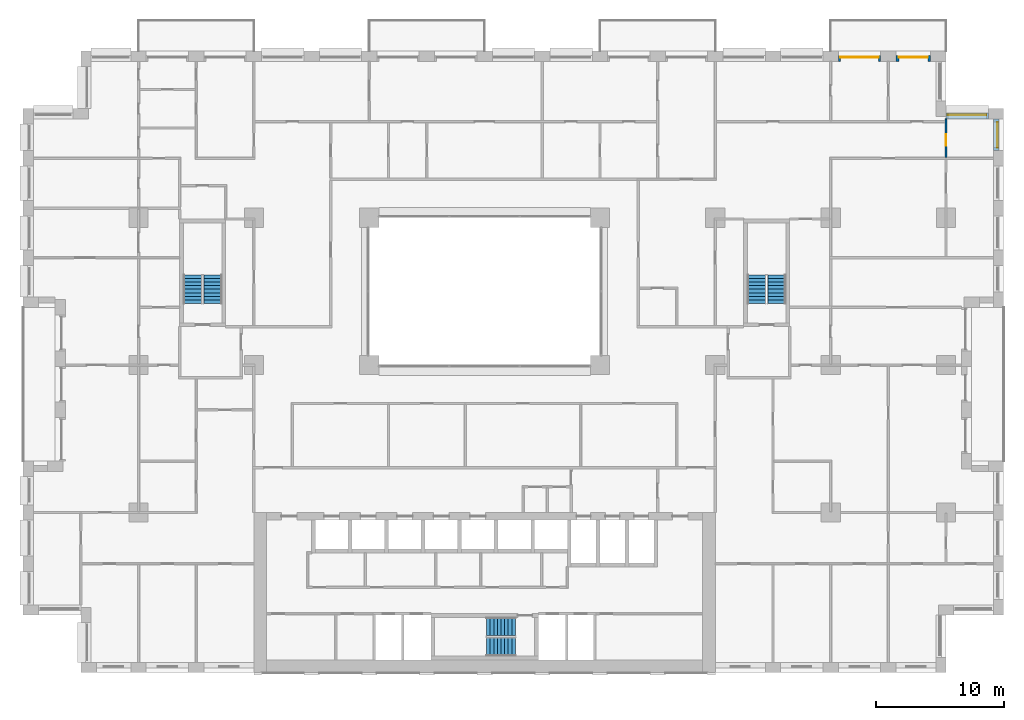
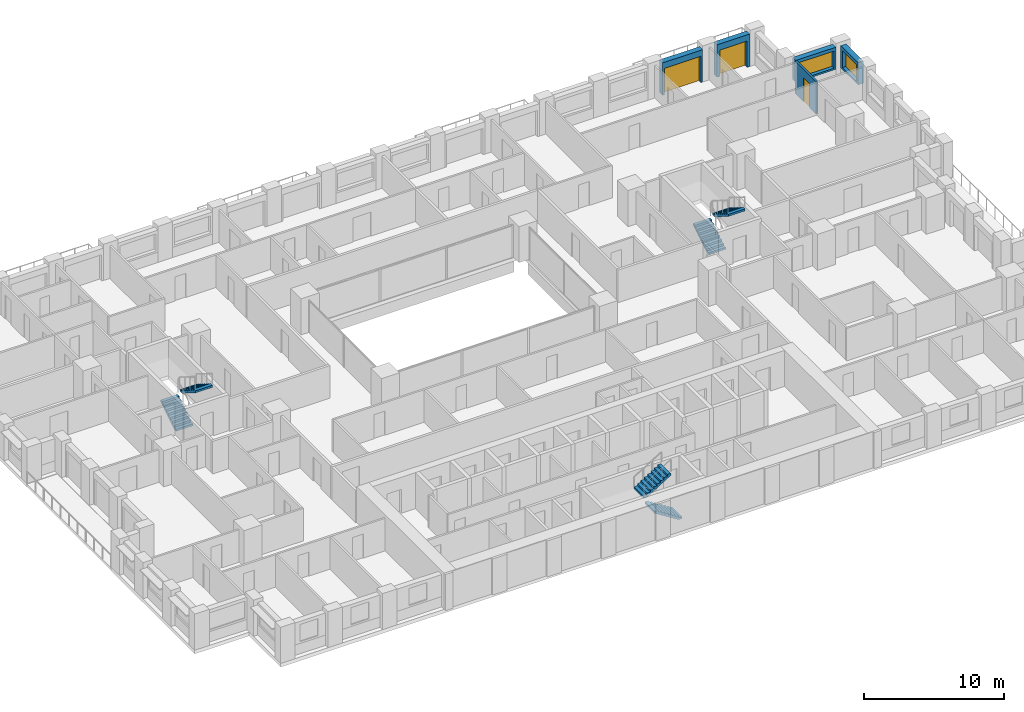
# One storey, part 17 of 19: 6 stair flights, 5 walls, 3 doors, 2 windows, 5 openings, 3 elements without a shape of their own.
"""IFC4 building model written with IfcOpenShell, lengths in metres."""

from ifc_helpers import new_model, si_unit, direction, frame, frame_2d, origin, place, context, subcontext, project, spatial, polyline, rectangle, outline, extrude, material, layer, layer_set, type_object, element, fill, aggregate, save


model = new_model("IFC4")

# Units and contexts
model_context = context("Model", 3, precision=1e-05, world=origin(), true_north=direction((0.0, 1.0)))
body_context = subcontext(model_context, "Body", "Model", "MODEL_VIEW")
ifc_project = project(units=[si_unit("LENGTHUNIT", "METRE"), si_unit("AREAUNIT", "SQUARE_METRE"), si_unit("VOLUMEUNIT", "CUBIC_METRE"), si_unit("PLANEANGLEUNIT", "RADIAN"), si_unit("MASSUNIT", "GRAM", prefix="KILO")], contexts=[model_context])

# Site, building, storey
site_placement = place(None, origin())
site = spatial("IfcSite", under=ifc_project, at=site_placement, CompositionType="ELEMENT")
building_placement = place(site_placement, origin())
building = spatial("IfcBuilding", under=site, at=building_placement, Name="Brigalow Station Residences", CompositionType="ELEMENT")
storey_placement = place(building_placement, frame((0.0, 0.0, 35.25)))
storey = spatial("IfcBuildingStorey", under=building, at=storey_placement, Name="L09", CompositionType="ELEMENT", Elevation=35.25)

# Wall, opening, window
ifc_material_1 = material(Name="Clay brick masonry", Category="masonry")
ifc_layer_1 = layer(ifc_material_1, 0.449951171875)
ifc_layer_set_1 = layer_set([ifc_layer_1], Name="BRICK INFILL WALL 450")
wall_type_1 = type_object("IfcWallType", Name="BRICK INFILL WALL 450", PredefinedType="SOLIDWALL", material=ifc_layer_set_1)
wall_1_placement = place(storey_placement, frame((75.925048828125, 40.72509765625, 0.89990234375), z_axis=(0.0, 0.0, 1.0), x_axis=(0.0, 1.0, 0.0)))
wall_1 = element("IfcWall", 1, at=wall_1_placement, inside=storey, type_object=wall_type_1, Name="L09/ewall/W-L09-22", PredefinedType="SOLIDWALL", context=body_context, shape_type="SweptSolid", body=[
    extrude(rectangle(XDim=2.474853515625, YDim=0.449951171875, at=frame_2d((1.2373046875, 0.0))), origin(), (0.0, 0.0, 1.0), 1.93017578125),
])
opening_1_placement = place(wall_1_placement, frame((0.237548828125, 0.0, 0.14990234375)))
opening_1 = element("IfcOpeningElement", 2, at=opening_1_placement, cuts=wall_1, Name="Opening WT-7", PredefinedType="OPENING", context=body_context, shape_type="SweptSolid", body=[
    extrude(rectangle(XDim=2.0, YDim=1.5, at=frame_2d((1.0, 0.75))), frame((0.0, 0.23486328125, 0.0), z_axis=(0.0, -1.0, 0.0), x_axis=(1.0, 0.0, 0.0)), (0.0, 0.0, 1.0), 0.469970703125),
])
ifc_material_2 = material(Name="Anodised aluminium frame with double glazing", Category="aluminium")
window_type_1 = type_object("IfcWindowType", Name="WINDOW 2000x1500", PartitioningType="SINGLE_PANEL", PredefinedType="WINDOW", material=ifc_material_2)
window_1_placement = place(opening_1_placement, origin())
window_1 = element("IfcWindow", 3, at=window_1_placement, inside=storey, type_object=window_type_1, Name="L09/window/W-L09-22", OverallHeight=1.5, OverallWidth=2.0, PartitioningType="SINGLE_PANEL", PredefinedType="WINDOW", context=body_context, shape_type="SweptSolid", body=[
    extrude(rectangle(XDim=2.0, YDim=1.5, at=frame_2d((1.0, 0.75))), frame((0.0, -0.06494140625, 0.0), z_axis=(0.0, -1.0, 0.0), x_axis=(1.0, 0.0, 0.0)), (0.0, 0.0, 1.0), 0.06005859375),
])
fill(opening_1, window_1)

wall_2_placement = place(storey_placement, frame((75.300048828125, 43.425048828125, 0.89990234375), z_axis=(0.0, 0.0, 1.0), x_axis=(-1.0, 0.0, 0.0)))
wall_2 = element("IfcWall", 4, at=wall_2_placement, inside=storey, type_object=wall_type_1, Name="L09/ewall/W-L09-23", PredefinedType="SOLIDWALL", context=body_context, shape_type="SweptSolid", body=[
    extrude(rectangle(XDim=3.300048828125, YDim=0.449951171875, at=frame_2d((1.64990234375, 0.0))), origin(), (0.0, 0.0, 1.0), 1.93017578125),
])
opening_2_placement = place(wall_2_placement, frame((0.14990234375, 0.0, 0.14990234375)))
opening_2 = element("IfcOpeningElement", 5, at=opening_2_placement, cuts=wall_2, Name="Opening WT-2", PredefinedType="OPENING", context=body_context, shape_type="SweptSolid", body=[
    extrude(rectangle(XDim=3.0, YDim=1.5, at=frame_2d((1.5, 0.75))), frame((0.0, 0.23486328125, 0.0), z_axis=(0.0, -1.0, 0.0), x_axis=(1.0, 0.0, 0.0)), (0.0, 0.0, 1.0), 0.469970703125),
])
ifc_material_3 = material(Name="Anodised aluminium frame with double glazing", Category="aluminium")
window_type_2 = type_object("IfcWindowType", Name="WINDOW 3000x1500", PartitioningType="SINGLE_PANEL", PredefinedType="WINDOW", material=ifc_material_3)
window_2_placement = place(opening_2_placement, origin())
window_2 = element("IfcWindow", 6, at=window_2_placement, inside=storey, type_object=window_type_2, Name="L09/window/W-L09-23", OverallHeight=1.5, OverallWidth=3.0, PartitioningType="SINGLE_PANEL", PredefinedType="WINDOW", context=body_context, shape_type="SweptSolid", body=[
    extrude(rectangle(XDim=3.0, YDim=1.5, at=frame_2d((1.5, 0.75))), frame((0.0, -0.06494140625, 0.0), z_axis=(0.0, -1.0, 0.0), x_axis=(1.0, 0.0, 0.0)), (0.0, 0.0, 1.0), 0.06005859375),
])
fill(opening_2, window_2)

# Wall, opening, door
wall_3_placement = place(storey_placement, frame((70.800048828125, 47.925048828125, 0.0), z_axis=(0.0, 0.0, 1.0), x_axis=(-1.0, 0.0, 0.0)))
wall_3 = element("IfcWall", 7, at=wall_3_placement, inside=storey, type_object=wall_type_1, Name="L09/ewall/W-L09-25", PredefinedType="SOLIDWALL", context=body_context, shape_type="SweptSolid", body=[
    extrude(rectangle(XDim=2.699951171875, YDim=0.449951171875, at=frame_2d((1.35009765625, 0.0))), origin(), (0.0, 0.0, 1.0), 2.830078125),
])
opening_3_placement = place(wall_3_placement, frame((0.22509765625, 0.0, 0.0)))
opening_3 = element("IfcOpeningElement", 8, at=opening_3_placement, cuts=wall_3, Name="Opening D-B2250", PredefinedType="OPENING", context=body_context, shape_type="SweptSolid", body=[
    extrude(rectangle(XDim=2.25, YDim=2.300048828125, at=frame_2d((1.125, 1.14990234375))), frame((0.0, 0.23486328125, 0.0), z_axis=(0.0, -1.0, 0.0), x_axis=(1.0, 0.0, 0.0)), (0.0, 0.0, 1.0), 0.469970703125),
])
ifc_material_4 = material(Name="Anodised aluminium frame with double glazing", Category="aluminium")
door_type_1 = type_object("IfcDoorType", Name="BALCONY SLIDING DOOR 2250x2300", OperationType="SLIDING_TO_LEFT", PredefinedType="DOOR", material=ifc_material_4)
door_1_placement = place(opening_3_placement, origin())
door_1 = element("IfcDoor", 9, at=door_1_placement, inside=storey, type_object=door_type_1, Name="L09/balcony-door/W-L09-25", OperationType="SLIDING_TO_LEFT", OverallHeight=2.300048828125, OverallWidth=2.25, PredefinedType="DOOR", context=body_context, shape_type="SweptSolid", body=[
    extrude(rectangle(XDim=2.25, YDim=2.300048828125, at=frame_2d((1.125, 1.14990234375))), frame((0.0, -0.06982421875, 0.0), z_axis=(0.0, -1.0, 0.0), x_axis=(1.0, 0.0, 0.0)), (0.0, 0.0, 1.0), 0.050048828125),
])
fill(opening_3, door_1)

wall_4_placement = place(storey_placement, frame((66.89990234375, 47.925048828125, 0.0), z_axis=(0.0, 0.0, 1.0), x_axis=(-1.0, 0.0, 0.0)))
wall_4 = element("IfcWall", 10, at=wall_4_placement, inside=storey, type_object=wall_type_1, Name="L09/ewall/W-L09-26", PredefinedType="SOLIDWALL", context=body_context, shape_type="SweptSolid", body=[
    extrude(rectangle(XDim=3.2998046875, YDim=0.449951171875, at=frame_2d((1.64990234375, 0.0))), origin(), (0.0, 0.0, 1.0), 2.830078125),
])
opening_4_placement = place(wall_4_placement, frame((0.14990234375, 0.0, 0.0)))
opening_4 = element("IfcOpeningElement", 11, at=opening_4_placement, cuts=wall_4, Name="Opening D-B3000", PredefinedType="OPENING", context=body_context, shape_type="SweptSolid", body=[
    extrude(rectangle(XDim=3.0, YDim=2.300048828125, at=frame_2d((1.5, 1.14990234375))), frame((0.0, 0.23486328125, 0.0), z_axis=(0.0, -1.0, 0.0), x_axis=(1.0, 0.0, 0.0)), (0.0, 0.0, 1.0), 0.469970703125),
])
ifc_material_5 = material(Name="Anodised aluminium frame with double glazing", Category="aluminium")
door_type_2 = type_object("IfcDoorType", Name="BALCONY SLIDING DOOR 3000x2300", OperationType="SLIDING_TO_LEFT", PredefinedType="DOOR", material=ifc_material_5)
door_2_placement = place(opening_4_placement, origin())
door_2 = element("IfcDoor", 12, at=door_2_placement, inside=storey, type_object=door_type_2, Name="L09/balcony-door/W-L09-26", OperationType="SLIDING_TO_LEFT", OverallHeight=2.300048828125, OverallWidth=3.0, PredefinedType="DOOR", context=body_context, shape_type="SweptSolid", body=[
    extrude(rectangle(XDim=3.0, YDim=2.300048828125, at=frame_2d((1.5, 1.14990234375))), frame((0.0, -0.06982421875, 0.0), z_axis=(0.0, -1.0, 0.0), x_axis=(1.0, 0.0, 0.0)), (0.0, 0.0, 1.0), 0.050048828125),
])
fill(opening_4, door_2)

ifc_material_6 = material(Name="Plasterboard on steel stud partition", Category="steel")
ifc_layer_2 = layer(ifc_material_6, 0.14990234375)
ifc_layer_set_2 = layer_set([ifc_layer_2], Name="FLAT PARTITION 150")
wall_type_2 = type_object("IfcWallType", Name="FLAT PARTITION 150", PredefinedType="PARTITIONING", material=ifc_layer_set_2)
wall_5_placement = place(storey_placement, frame((72.0, 40.199951171875, 0.0), z_axis=(0.0, 0.0, 1.0), x_axis=(0.0, 1.0, 0.0)))
wall_5 = element("IfcWall", 13, at=wall_5_placement, inside=storey, type_object=wall_type_2, Name="PW-1B76", PredefinedType="PARTITIONING", context=body_context, shape_type="SweptSolid", body=[
    extrude(rectangle(XDim=3.0, YDim=0.14990234375, at=frame_2d((1.5, 0.0))), origin(), (0.0, 0.0, 1.0), 2.830078125),
])
opening_5_placement = place(wall_5_placement, frame((0.912109375, 0.0, 0.0)))
opening_5 = element("IfcOpeningElement", 14, at=opening_5_placement, cuts=wall_5, Name="Opening D-1B46", PredefinedType="OPENING", context=body_context, shape_type="SweptSolid", body=[
    extrude(rectangle(XDim=0.89990234375, YDim=2.10009765625, at=frame_2d((0.449951171875, 1.050048828125))), frame((0.0, 0.0849609375, 0.0), z_axis=(0.0, -1.0, 0.0), x_axis=(1.0, 0.0, 0.0)), (0.0, 0.0, 1.0), 0.169921875),
])
ifc_material_7 = material(Name="Solid-core timber door leaf", Category="wood")
door_type_3 = type_object("IfcDoorType", Name="INTERNAL DOOR 900 x 2100", OperationType="SINGLE_SWING_LEFT", PredefinedType="DOOR", material=ifc_material_7)
door_3_placement = place(opening_5_placement, frame((0.89990234375, 0.0, 0.0), z_axis=(0.0, 0.0, 1.0), x_axis=(-1.0, 0.0, 0.0)))
door_3 = element("IfcDoor", 15, at=door_3_placement, inside=storey, type_object=door_type_3, Name="D-1B46", OperationType="SINGLE_SWING_RIGHT", OverallHeight=2.10009765625, OverallWidth=0.89990234375, PredefinedType="DOOR", context=body_context, shape_type="SweptSolid", body=[
    extrude(rectangle(XDim=0.89990234375, YDim=2.10009765625, at=frame_2d((0.449951171875, 1.050048828125))), frame((0.0, 0.02490234375, 0.0), z_axis=(0.0, -1.0, 0.0), x_axis=(1.0, 0.0, 0.0)), (0.0, 0.0, 1.0), 0.050048828125),
])
fill(opening_5, door_3)

# Stair, stair flights
ifc_material_8 = material(Name="Concrete C50", Category="concrete")
stair_type = type_object("IfcStairType", Name="EXIT STAIR 1400 2 FLIGHT", PredefinedType="HALF_TURN_STAIR", material=ifc_material_8)
stair_1_placement = place(storey_placement, origin())
stair_1 = element("IfcStair", 16, at=stair_1_placement, inside=storey, type_object=stair_type, Name="EXIT STAIR S2 L09", PredefinedType="HALF_TURN_STAIR")
ifc_material_9 = material(Name="Concrete C50", Category="concrete")
stair_flight_type = type_object("IfcStairFlightType", Name="STAIR FLIGHT 1400", PredefinedType="STRAIGHT", material=ifc_material_9)
stair_flight_1_placement = place(storey_placement, frame((38.39990234375, 2.0, 0.0), z_axis=(0.0, 0.0, 1.0), x_axis=(-1.0, 0.0, 0.0)))
stair_flight_1 = element("IfcStairFlight", 17, at=stair_flight_1_placement, type_object=stair_flight_type, Name="ST-2 flight 1", NumberOfRisers=9, NumberOfTreads=8, PredefinedType="STRAIGHT", RiserHeight=0.175, TreadLength=0.28, context=body_context, shape_type="SweptSolid", body=[
    extrude(outline(polyline([(0.0, 0.0), (0.0, 0.175048828125), (0.280029296875, 0.175048828125), (0.280029296875, 0.35009765625), (0.56005859375, 0.35009765625), (0.56005859375, 0.52490234375), (0.840087890625, 0.52490234375), (0.840087890625, 0.699951171875), (1.1201171875, 0.699951171875), (1.1201171875, 0.875), (1.39990234375, 0.875), (1.39990234375, 1.050048828125), (1.679931640625, 1.050048828125), (1.679931640625, 1.22509765625), (1.9599609375, 1.22509765625), (1.9599609375, 1.39990234375), (2.239990234375, 1.39990234375), (2.239990234375, 1.574951171875), (2.239990234375, 1.22314453125), (0.28271484375, 0.0), (0.0, 0.0)])), frame((0.0, 0.699951171875, 0.0), z_axis=(0.0, -1.0, 0.0), x_axis=(1.0, 0.0, 0.0)), (0.0, 0.0, 1.0), 1.39990234375),
])
stair_flight_2_placement = place(storey_placement, frame((36.159912109375, 3.60009765625, 1.574951171875), z_axis=(0.0, 0.0, 1.0), x_axis=(1.0, 0.0, 0.0)))
stair_flight_2 = element("IfcStairFlight", 18, at=stair_flight_2_placement, type_object=stair_flight_type, Name="ST-2 flight 2", NumberOfRisers=9, NumberOfTreads=8, PredefinedType="STRAIGHT", RiserHeight=0.175, TreadLength=0.28, context=body_context, shape_type="SweptSolid", body=[
    extrude(outline(polyline([(0.0, 0.0), (0.0, 0.175048828125), (0.280029296875, 0.175048828125), (0.280029296875, 0.35009765625), (0.56005859375, 0.35009765625), (0.56005859375, 0.52490234375), (0.840087890625, 0.52490234375), (0.840087890625, 0.699951171875), (1.1201171875, 0.699951171875), (1.1201171875, 0.875), (1.39990234375, 0.875), (1.39990234375, 1.050048828125), (1.679931640625, 1.050048828125), (1.679931640625, 1.22509765625), (1.9599609375, 1.22509765625), (1.9599609375, 1.39990234375), (2.239990234375, 1.39990234375), (2.239990234375, 1.574951171875), (2.239990234375, 1.22314453125), (0.28271484375, 0.0), (0.0, 0.0)])), frame((0.0, 0.699951171875, 0.0), z_axis=(0.0, -1.0, 0.0), x_axis=(1.0, 0.0, 0.0)), (0.0, 0.0, 1.0), 1.39990234375),
])
aggregate(stair_1, [stair_flight_1, stair_flight_2])

stair_2_placement = place(storey_placement, origin())
stair_2 = element("IfcStair", 19, at=stair_2_placement, inside=storey, type_object=stair_type, Name="EXIT STAIR S1 L09", PredefinedType="HALF_TURN_STAIR")
stair_flight_3_placement = place(storey_placement, frame((13.199951171875, 28.800048828125, 0.0), z_axis=(0.0, 0.0, 1.0), x_axis=(0.0, 1.0, 0.0)))
stair_flight_3 = element("IfcStairFlight", 20, at=stair_flight_3_placement, type_object=stair_flight_type, Name="ST-1 flight 1", NumberOfRisers=9, NumberOfTreads=8, PredefinedType="STRAIGHT", RiserHeight=0.175, TreadLength=0.28, context=body_context, shape_type="SweptSolid", body=[
    extrude(outline(polyline([(0.0, 0.0), (0.0, 0.175048828125), (0.280029296875, 0.175048828125), (0.280029296875, 0.35009765625), (0.56005859375, 0.35009765625), (0.56005859375, 0.52490234375), (0.840087890625, 0.52490234375), (0.840087890625, 0.699951171875), (1.1201171875, 0.699951171875), (1.1201171875, 0.875), (1.39990234375, 0.875), (1.39990234375, 1.050048828125), (1.679931640625, 1.050048828125), (1.679931640625, 1.22509765625), (1.9599609375, 1.22509765625), (1.9599609375, 1.39990234375), (2.239990234375, 1.39990234375), (2.239990234375, 1.574951171875), (2.239990234375, 1.22314453125), (0.28271484375, 0.0), (0.0, 0.0)])), frame((0.0, 0.699951171875, 0.0), z_axis=(0.0, -1.0, 0.0), x_axis=(1.0, 0.0, 0.0)), (0.0, 0.0, 1.0), 1.39990234375),
])
stair_flight_4_placement = place(storey_placement, frame((14.800048828125, 31.0400390625, 1.574951171875), z_axis=(0.0, 0.0, 1.0), x_axis=(0.0, -1.0, 0.0)))
stair_flight_4 = element("IfcStairFlight", 21, at=stair_flight_4_placement, type_object=stair_flight_type, Name="ST-1 flight 2", NumberOfRisers=9, NumberOfTreads=8, PredefinedType="STRAIGHT", RiserHeight=0.175, TreadLength=0.28, context=body_context, shape_type="SweptSolid", body=[
    extrude(outline(polyline([(0.0, 0.0), (0.0, 0.175048828125), (0.280029296875, 0.175048828125), (0.280029296875, 0.35009765625), (0.56005859375, 0.35009765625), (0.56005859375, 0.52490234375), (0.840087890625, 0.52490234375), (0.840087890625, 0.699951171875), (1.1201171875, 0.699951171875), (1.1201171875, 0.875), (1.39990234375, 0.875), (1.39990234375, 1.050048828125), (1.679931640625, 1.050048828125), (1.679931640625, 1.22509765625), (1.9599609375, 1.22509765625), (1.9599609375, 1.39990234375), (2.239990234375, 1.39990234375), (2.239990234375, 1.574951171875), (2.239990234375, 1.22314453125), (0.28271484375, 0.0), (0.0, 0.0)])), frame((0.0, 0.699951171875, 0.0), z_axis=(0.0, -1.0, 0.0), x_axis=(1.0, 0.0, 0.0)), (0.0, 0.0, 1.0), 1.39990234375),
])
aggregate(stair_2, [stair_flight_3, stair_flight_4])

stair_3_placement = place(storey_placement, origin())
stair_3 = element("IfcStair", 22, at=stair_3_placement, inside=storey, type_object=stair_type, Name="EXIT STAIR S3 L09", PredefinedType="HALF_TURN_STAIR")
stair_flight_5_placement = place(storey_placement, frame((57.199951171875, 28.800048828125, 0.0), z_axis=(0.0, 0.0, 1.0), x_axis=(0.0, 1.0, 0.0)))
stair_flight_5 = element("IfcStairFlight", 23, at=stair_flight_5_placement, type_object=stair_flight_type, Name="ST-3 flight 1", NumberOfRisers=9, NumberOfTreads=8, PredefinedType="STRAIGHT", RiserHeight=0.175, TreadLength=0.28, context=body_context, shape_type="SweptSolid", body=[
    extrude(outline(polyline([(0.0, 0.0), (0.0, 0.175048828125), (0.280029296875, 0.175048828125), (0.280029296875, 0.35009765625), (0.56005859375, 0.35009765625), (0.56005859375, 0.52490234375), (0.840087890625, 0.52490234375), (0.840087890625, 0.699951171875), (1.1201171875, 0.699951171875), (1.1201171875, 0.875), (1.39990234375, 0.875), (1.39990234375, 1.050048828125), (1.679931640625, 1.050048828125), (1.679931640625, 1.22509765625), (1.9599609375, 1.22509765625), (1.9599609375, 1.39990234375), (2.239990234375, 1.39990234375), (2.239990234375, 1.574951171875), (2.239990234375, 1.22314453125), (0.28271484375, 0.0), (0.0, 0.0)])), frame((0.0, 0.699951171875, 0.0), z_axis=(0.0, -1.0, 0.0), x_axis=(1.0, 0.0, 0.0)), (0.0, 0.0, 1.0), 1.39990234375),
])
stair_flight_6_placement = place(storey_placement, frame((58.800048828125, 31.0400390625, 1.574951171875), z_axis=(0.0, 0.0, 1.0), x_axis=(0.0, -1.0, 0.0)))
stair_flight_6 = element("IfcStairFlight", 24, at=stair_flight_6_placement, type_object=stair_flight_type, Name="ST-3 flight 2", NumberOfRisers=9, NumberOfTreads=8, PredefinedType="STRAIGHT", RiserHeight=0.175, TreadLength=0.28, context=body_context, shape_type="SweptSolid", body=[
    extrude(outline(polyline([(0.0, 0.0), (0.0, 0.175048828125), (0.280029296875, 0.175048828125), (0.280029296875, 0.35009765625), (0.56005859375, 0.35009765625), (0.56005859375, 0.52490234375), (0.840087890625, 0.52490234375), (0.840087890625, 0.699951171875), (1.1201171875, 0.699951171875), (1.1201171875, 0.875), (1.39990234375, 0.875), (1.39990234375, 1.050048828125), (1.679931640625, 1.050048828125), (1.679931640625, 1.22509765625), (1.9599609375, 1.22509765625), (1.9599609375, 1.39990234375), (2.239990234375, 1.39990234375), (2.239990234375, 1.574951171875), (2.239990234375, 1.22314453125), (0.28271484375, 0.0), (0.0, 0.0)])), frame((0.0, 0.699951171875, 0.0), z_axis=(0.0, -1.0, 0.0), x_axis=(1.0, 0.0, 0.0)), (0.0, 0.0, 1.0), 1.39990234375),
])
aggregate(stair_3, [stair_flight_5, stair_flight_6])

save(model, "model.ifc")
